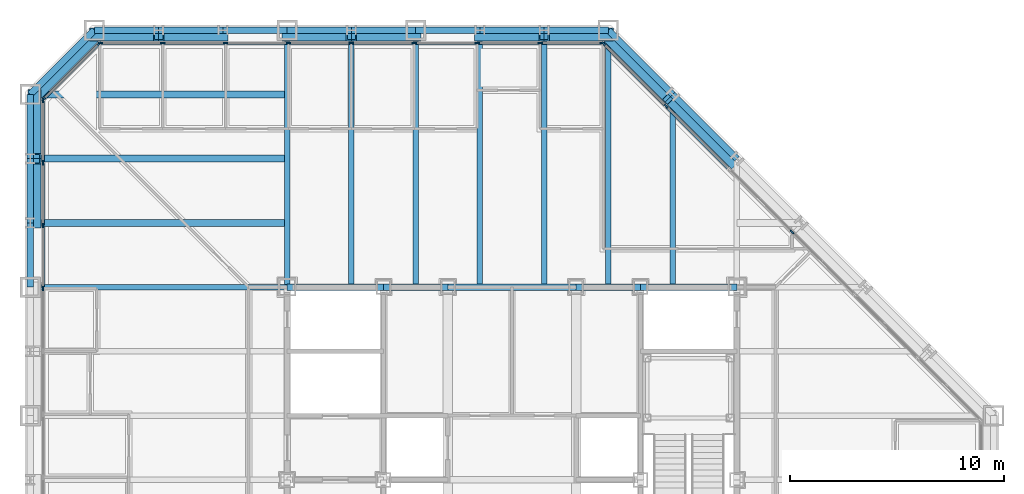
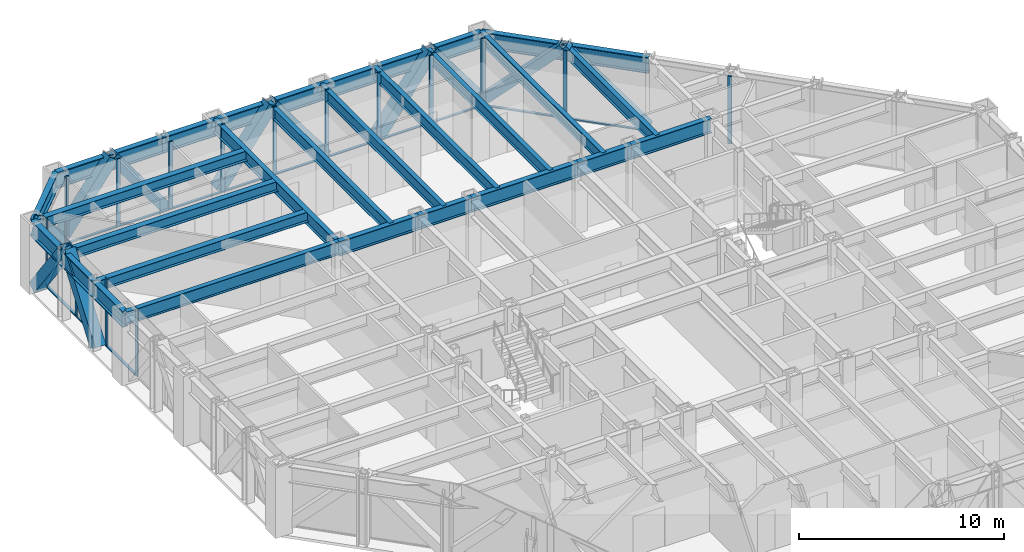
# One storey, part 7 of 17: 43 members, 30 beams, 4 elements without a shape of their own.
"""IFC4 building model written with IfcOpenShell, lengths in metres."""

from ifc_helpers import new_model, si_unit, direction, frame, origin, origin_2d, place, context, subcontext, project, spatial, rectangle, hollow_rectangle, i_section, extrude, material, layer, layer_set, material_profile, profile_set, type_object, element, aggregate, save


model = new_model("IFC4")

# Units and contexts
model_context = context("Model", 3, precision=1e-05, world=origin(), true_north=direction((0.0, 1.0)))
body_context = subcontext(model_context, "Body", "Model", "MODEL_VIEW")
ifc_project = project(units=[si_unit("LENGTHUNIT", "METRE"), si_unit("AREAUNIT", "SQUARE_METRE"), si_unit("VOLUMEUNIT", "CUBIC_METRE"), si_unit("PLANEANGLEUNIT", "RADIAN"), si_unit("MASSUNIT", "GRAM", prefix="KILO")], contexts=[model_context])

# Site, building, storey
site_placement = place(None, origin())
site = spatial("IfcSite", under=ifc_project, at=site_placement, CompositionType="ELEMENT")
building_placement = place(site_placement, origin())
building = spatial("IfcBuilding", under=site, at=building_placement, Name="Chuquiago Exchange Tower", CompositionType="ELEMENT")
storey_placement = place(building_placement, frame((0.0, 0.0, 136.199951171875)))
storey = spatial("IfcBuildingStorey", under=building, at=storey_placement, Name="L29", CompositionType="ELEMENT", Elevation=136.199951171875)

# Beams
ifc_material_1 = material(Name="Steel ASTM A992", Category="steel")
ifc_material_profile_1 = material_profile(ifc_material_1, i_section(OverallWidth=0.25390625, OverallDepth=0.683349609375, WebThickness=0.012451171875, FlangeThickness=0.018798828125, at=origin_2d()), Name="W27X94")
ifc_profile_set_1 = profile_set([ifc_material_profile_1], Name="Steel ASTM A992")
beam_type_1 = type_object("IfcBeamType", Name="B1 W27X94", PredefinedType="BEAM", material=ifc_profile_set_1)
for number, where, z_axis, x_axis, name in (
    (1, (15.0, 33.0, 3.698486328125), (0.0, 1.0, 0.0), (-1.0, 0.0, 0.0), "FB-L30-infill-15_33-15_45-0"),
    (2, (18.0, 33.0, 3.698486328125), (0.0, 1.0, 0.0), (-1.0, 0.0, 0.0), "FB-L30-infill-18_33-18_45-0"),
    (3, (21.0, 33.0, 3.698486328125), (0.0, 1.0, 0.0), (-1.0, 0.0, 0.0), "FB-L30-infill-21_33-21_45-0"),
    (4, (24.0, 33.0, 3.698486328125), (0.0, 1.0, 0.0), (-1.0, 0.0, 0.0), "FB-L30-infill-24_33-24_45-0"),
    (5, (27.0, 33.0, 3.698486328125), (0.0, 1.0, 0.0), (-1.0, 0.0, 0.0), "FB-L30-infill-27_33-27_45-0"),
):
    element("IfcBeam", number, at=place(storey_placement, frame(where, z_axis=z_axis, x_axis=x_axis)), inside=storey, type_object=beam_type_1, Name=name, PredefinedType="BEAM", context=body_context, shape_type="SweptSolid", body=[
        extrude(i_section(OverallWidth=0.25390625, OverallDepth=0.683349609375, WebThickness=0.012451171875, FlangeThickness=0.018798828125, at=origin_2d()), origin(), (0.0, 0.0, 1.0), 12.0),
    ])
beam_1_placement = place(storey_placement, frame((30.0, 33.0, 3.698486328125), z_axis=(0.0, 1.0, 0.0), x_axis=(-1.0, 0.0, 0.0)))
element("IfcBeam", 6, at=beam_1_placement, inside=storey, type_object=beam_type_1, Name="FB-L30-infill-30_33-30_42-0", PredefinedType="BEAM", context=body_context, shape_type="SweptSolid", body=[
    extrude(i_section(OverallWidth=0.25390625, OverallDepth=0.683349609375, WebThickness=0.012451171875, FlangeThickness=0.018798828125, at=origin_2d()), origin(), (0.0, 0.0, 1.0), 9.0),
])
ifc_material_2 = material(Name="Steel ASTM A992", Category="steel")
ifc_material_profile_2 = material_profile(ifc_material_2, i_section(OverallWidth=0.3251953125, OverallDepth=0.612060546875, WebThickness=0.0126953125, FlangeThickness=0.01904296875, at=origin_2d()), Name="W24X104")
ifc_profile_set_2 = profile_set([ifc_material_profile_2], Name="Steel ASTM A992")
beam_type_2 = type_object("IfcBeamType", Name="B2 W24X104", PredefinedType="BEAM", material=ifc_profile_set_2)
for number, where, z_axis, x_axis, name in (
    (7, (12.0, 36.0, 3.73388671875), (-1.0, 0.0, 0.0), (0.0, -1.0, 0.0), "FB-L30-corner-12_36--0_36-0"),
    (8, (12.0, 39.0, 3.73388671875), (-1.0, 0.0, 0.0), (0.0, -1.0, 0.0), "FB-L30-corner-12_39--0_39-0"),
    (9, (12.0, 42.0, 3.73388671875), (-1.0, 0.0, 0.0), (0.0, -1.0, 0.0), "FB-L30-corner-12_42--0_42-0"),
):
    element("IfcBeam", number, at=place(storey_placement, frame(where, z_axis=z_axis, x_axis=x_axis)), inside=storey, type_object=beam_type_2, Name=name, PredefinedType="BEAM", context=body_context, shape_type="SweptSolid", body=[
        extrude(i_section(OverallWidth=0.3251953125, OverallDepth=0.612060546875, WebThickness=0.0126953125, FlangeThickness=0.01904296875, at=origin_2d()), origin(), (0.0, 0.0, 1.0), 12.0),
    ])
ifc_material_3 = material(Name="Steel ASTM A992", Category="steel")
ifc_material_profile_3 = material_profile(ifc_material_3, i_section(OverallWidth=0.2919921875, OverallDepth=0.8583984375, WebThickness=0.01708984375, FlangeThickness=0.031005859375, at=origin_2d()), Name="W33X169")
ifc_profile_set_3 = profile_set([ifc_material_profile_3], Name="Steel ASTM A992")
beam_type_3 = type_object("IfcBeamType", Name="B3 W33X169", PredefinedType="BEAM", material=ifc_profile_set_3)
beam_2_placement = place(storey_placement, frame((12.0, 33.0, 3.61083984375), z_axis=(1.0, 0.0, 0.0), x_axis=(0.0, 1.0, 0.0)))
element("IfcBeam", 10, at=beam_2_placement, inside=storey, type_object=beam_type_3, Name="CB-L30-12_33-16.5_33", PredefinedType="BEAM", context=body_context, shape_type="SweptSolid", body=[
    extrude(i_section(OverallWidth=0.2919921875, OverallDepth=0.8583984375, WebThickness=0.01708984375, FlangeThickness=0.031005859375, at=origin_2d()), origin(), (0.0, 0.0, 1.0), 4.5),
])
beam_3_placement = place(storey_placement, frame((16.5, 33.0, 3.61083984375), z_axis=(1.0, 0.0, 0.0), x_axis=(0.0, 1.0, 0.0)))
element("IfcBeam", 11, at=beam_3_placement, inside=storey, type_object=beam_type_3, Name="CB-L30-16.5_33-19.5_33", PredefinedType="BEAM", context=body_context, shape_type="SweptSolid", body=[
    extrude(i_section(OverallWidth=0.2919921875, OverallDepth=0.8583984375, WebThickness=0.01708984375, FlangeThickness=0.031005859375, at=origin_2d()), origin(), (0.0, 0.0, 1.0), 3.0),
])
beam_4_placement = place(storey_placement, frame((19.5, 33.0, 3.61083984375), z_axis=(1.0, 0.0, 0.0), x_axis=(0.0, 1.0, 0.0)))
element("IfcBeam", 12, at=beam_4_placement, inside=storey, type_object=beam_type_3, Name="CB-L30-19.5_33-25.5_33", PredefinedType="BEAM", context=body_context, shape_type="SweptSolid", body=[
    extrude(i_section(OverallWidth=0.2919921875, OverallDepth=0.8583984375, WebThickness=0.01708984375, FlangeThickness=0.031005859375, at=origin_2d()), origin(), (0.0, 0.0, 1.0), 6.0),
])
beam_5_placement = place(storey_placement, frame((25.5, 33.0, 3.61083984375), z_axis=(1.0, 0.0, 0.0), x_axis=(0.0, 1.0, 0.0)))
element("IfcBeam", 13, at=beam_5_placement, inside=storey, type_object=beam_type_3, Name="CB-L30-25.5_33-28.5_33", PredefinedType="BEAM", context=body_context, shape_type="SweptSolid", body=[
    extrude(i_section(OverallWidth=0.2919921875, OverallDepth=0.8583984375, WebThickness=0.01708984375, FlangeThickness=0.031005859375, at=origin_2d()), origin(), (0.0, 0.0, 1.0), 3.0),
])
beam_6_placement = place(storey_placement, frame((28.5, 33.0, 3.61083984375), z_axis=(1.0, 0.0, 0.0), x_axis=(0.0, 1.0, 0.0)))
element("IfcBeam", 14, at=beam_6_placement, inside=storey, type_object=beam_type_3, Name="CB-L30-28.5_33-33_33", PredefinedType="BEAM", context=body_context, shape_type="SweptSolid", body=[
    extrude(i_section(OverallWidth=0.2919921875, OverallDepth=0.8583984375, WebThickness=0.01708984375, FlangeThickness=0.031005859375, at=origin_2d()), origin(), (0.0, 0.0, 1.0), 4.5),
])

# Curtain wall, members
ifc_material_4 = material(Name="Aluminium curtain wall system", Category="aluminium")
ifc_layer_1 = layer(ifc_material_4, 0.22509765625)
ifc_layer_set_1 = layer_set([ifc_layer_1], Name="CW2 office curtain wall")
curtain_wall_type_1 = type_object("IfcCurtainWallType", Name="CW2 office curtain wall", PredefinedType="NOTDEFINED", material=ifc_layer_set_1)
curtain_wall_1_placement = place(storey_placement, origin())
curtain_wall_1 = element("IfcCurtainWall", 15, at=curtain_wall_1_placement, inside=storey, type_object=curtain_wall_type_1, Name="CW2 curtain wall L29", PredefinedType="NOTDEFINED")
ifc_material_5 = material(Name="Aluminium mullion, pale anodised", Category="aluminium")
ifc_material_profile_4 = material_profile(ifc_material_5, rectangle(XDim=0.06494140625, YDim=0.22509765625, at=origin_2d()), Name="AL 65x225")
ifc_profile_set_4 = profile_set([ifc_material_profile_4], Name="Aluminium mullion, pale anodised")
member_type_1 = type_object("IfcMemberType", Name="CW2-M mullion 65x225", PredefinedType="MULLION", material=ifc_profile_set_4)
member_1_placement = place(storey_placement, frame((26.718994140625, 44.39990234375, 0.0), z_axis=(0.0, 0.0, 1.0), x_axis=(0.0, -1.0, 0.0)))
member_1 = element("IfcMember", 16, at=member_1_placement, type_object=member_type_1, Name="CW2 mullion 1", PredefinedType="MULLION", context=body_context, shape_type="SweptSolid", body=[
    extrude(rectangle(XDim=0.06494140625, YDim=0.22509765625, at=origin_2d()), origin(), (0.0, 0.0, 1.0), 4.0400390625),
])
member_2_placement = place(storey_placement, frame((23.813720703125, 44.39990234375, 0.0), z_axis=(0.0, 0.0, 1.0), x_axis=(0.0, -1.0, 0.0)))
member_2 = element("IfcMember", 17, at=member_2_placement, type_object=member_type_1, Name="CW2 mullion 2", PredefinedType="MULLION", context=body_context, shape_type="SweptSolid", body=[
    extrude(rectangle(XDim=0.06494140625, YDim=0.22509765625, at=origin_2d()), origin(), (0.0, 0.0, 1.0), 4.0400390625),
])
member_3_placement = place(storey_placement, frame((20.875732421875, 44.39990234375, 0.0), z_axis=(0.0, 0.0, 1.0), x_axis=(0.0, -1.0, 0.0)))
member_3 = element("IfcMember", 18, at=member_3_placement, type_object=member_type_1, Name="CW2 mullion 3", PredefinedType="MULLION", context=body_context, shape_type="SweptSolid", body=[
    extrude(rectangle(XDim=0.06494140625, YDim=0.22509765625, at=origin_2d()), origin(), (0.0, 0.0, 1.0), 4.0400390625),
])
member_4_placement = place(storey_placement, frame((17.93798828125, 44.39990234375, 0.0), z_axis=(0.0, 0.0, 1.0), x_axis=(0.0, -1.0, 0.0)))
member_4 = element("IfcMember", 19, at=member_4_placement, type_object=member_type_1, Name="CW2 mullion 4", PredefinedType="MULLION", context=body_context, shape_type="SweptSolid", body=[
    extrude(rectangle(XDim=0.06494140625, YDim=0.22509765625, at=origin_2d()), origin(), (0.0, 0.0, 1.0), 4.0400390625),
])
member_5_placement = place(storey_placement, frame((15.0, 44.39990234375, 0.0), z_axis=(0.0, 0.0, 1.0), x_axis=(0.0, -1.0, 0.0)))
member_5 = element("IfcMember", 20, at=member_5_placement, type_object=member_type_1, Name="CW2 mullion 5", PredefinedType="MULLION", context=body_context, shape_type="SweptSolid", body=[
    extrude(rectangle(XDim=0.06494140625, YDim=0.22509765625, at=origin_2d()), origin(), (0.0, 0.0, 1.0), 4.0400390625),
])
member_6_placement = place(storey_placement, frame((12.06201171875, 44.39990234375, 0.0), z_axis=(0.0, 0.0, 1.0), x_axis=(0.0, -1.0, 0.0)))
member_6 = element("IfcMember", 21, at=member_6_placement, type_object=member_type_1, Name="CW2 mullion 6", PredefinedType="MULLION", context=body_context, shape_type="SweptSolid", body=[
    extrude(rectangle(XDim=0.06494140625, YDim=0.22509765625, at=origin_2d()), origin(), (0.0, 0.0, 1.0), 4.0400390625),
])
member_7_placement = place(storey_placement, frame((9.124267578125, 44.39990234375, 0.0), z_axis=(0.0, 0.0, 1.0), x_axis=(0.0, -1.0, 0.0)))
member_7 = element("IfcMember", 22, at=member_7_placement, type_object=member_type_1, Name="CW2 mullion 7", PredefinedType="MULLION", context=body_context, shape_type="SweptSolid", body=[
    extrude(rectangle(XDim=0.06494140625, YDim=0.22509765625, at=origin_2d()), origin(), (0.0, 0.0, 1.0), 4.0400390625),
])
member_8_placement = place(storey_placement, frame((6.186279296875, 44.39990234375, 0.0), z_axis=(0.0, 0.0, 1.0), x_axis=(0.0, -1.0, 0.0)))
member_8 = element("IfcMember", 23, at=member_8_placement, type_object=member_type_1, Name="CW2 mullion 8", PredefinedType="MULLION", context=body_context, shape_type="SweptSolid", body=[
    extrude(rectangle(XDim=0.06494140625, YDim=0.22509765625, at=origin_2d()), origin(), (0.0, 0.0, 1.0), 4.0400390625),
])
member_9_placement = place(storey_placement, frame((3.281005859375, 44.39990234375, 0.0), z_axis=(0.0, 0.0, 1.0), x_axis=(0.0, -1.0, 0.0)))
member_9 = element("IfcMember", 24, at=member_9_placement, type_object=member_type_1, Name="CW2 mullion 9", PredefinedType="MULLION", context=body_context, shape_type="SweptSolid", body=[
    extrude(rectangle(XDim=0.06494140625, YDim=0.22509765625, at=origin_2d()), origin(), (0.0, 0.0, 1.0), 4.0400390625),
])

curtain_wall_2_placement = place(storey_placement, origin())
curtain_wall_2 = element("IfcCurtainWall", 25, at=curtain_wall_2_placement, inside=storey, type_object=curtain_wall_type_1, Name="CW2 curtain wall L29", PredefinedType="NOTDEFINED")
member_10_placement = place(storey_placement, frame((0.60009765625, 41.718994140625, 0.0), z_axis=(0.0, 0.0, 1.0), x_axis=(1.0, 0.0, 0.0)))
member_10 = element("IfcMember", 26, at=member_10_placement, type_object=member_type_1, Name="CW2 mullion 1", PredefinedType="MULLION", context=body_context, shape_type="SweptSolid", body=[
    extrude(rectangle(XDim=0.06494140625, YDim=0.22509765625, at=origin_2d()), origin(), (0.0, 0.0, 1.0), 4.0400390625),
])
member_11_placement = place(storey_placement, frame((0.60009765625, 38.813720703125, 0.0), z_axis=(0.0, 0.0, 1.0), x_axis=(1.0, 0.0, 0.0)))
member_11 = element("IfcMember", 27, at=member_11_placement, type_object=member_type_1, Name="CW2 mullion 2", PredefinedType="MULLION", context=body_context, shape_type="SweptSolid", body=[
    extrude(rectangle(XDim=0.06494140625, YDim=0.22509765625, at=origin_2d()), origin(), (0.0, 0.0, 1.0), 4.0400390625),
])
member_12_placement = place(storey_placement, frame((0.60009765625, 35.875732421875, 0.0), z_axis=(0.0, 0.0, 1.0), x_axis=(1.0, 0.0, 0.0)))
member_12 = element("IfcMember", 28, at=member_12_placement, type_object=member_type_1, Name="CW2 mullion 3", PredefinedType="MULLION", context=body_context, shape_type="SweptSolid", body=[
    extrude(rectangle(XDim=0.06494140625, YDim=0.22509765625, at=origin_2d()), origin(), (0.0, 0.0, 1.0), 4.0400390625),
])
member_13_placement = place(storey_placement, frame((0.60009765625, 32.93798828125, 0.0), z_axis=(0.0, 0.0, 1.0), x_axis=(1.0, 0.0, 0.0)))
member_13 = element("IfcMember", 29, at=member_13_placement, type_object=member_type_1, Name="CW2 mullion 4", PredefinedType="MULLION", context=body_context, shape_type="SweptSolid", body=[
    extrude(rectangle(XDim=0.06494140625, YDim=0.22509765625, at=origin_2d()), origin(), (0.0, 0.0, 1.0), 4.0400390625),
])

# Member
ifc_material_6 = material(Name="Aluminium transom, pale anodised", Category="aluminium")
ifc_material_profile_5 = material_profile(ifc_material_6, rectangle(XDim=0.139892578125, YDim=0.06494140625, at=origin_2d()), Name="AL 140x65")
ifc_profile_set_5 = profile_set([ifc_material_profile_5], Name="Aluminium transom, pale anodised")
member_type_2 = type_object("IfcMemberType", Name="CW2-T transom 65x140", PredefinedType="MULLION", material=ifc_profile_set_5)
member_14_placement = place(storey_placement, frame((26.6865234375, 44.39990234375, 0.032470703125), z_axis=(-1.0, 0.0, 0.0), x_axis=(0.0, -1.0, 0.0)))
member_14 = element("IfcMember", 30, at=member_14_placement, type_object=member_type_2, Name="CW2 transom 1.1", PredefinedType="MULLION", context=body_context, shape_type="SweptSolid", body=[
    extrude(rectangle(XDim=0.139892578125, YDim=0.06494140625, at=origin_2d()), origin(), (0.0, 0.0, 1.0), 2.84033203125),
])

member_15_placement = place(storey_placement, frame((23.781005859375, 44.39990234375, 0.032470703125), z_axis=(-1.0, 0.0, 0.0), x_axis=(0.0, -1.0, 0.0)))
member_15 = element("IfcMember", 31, at=member_15_placement, type_object=member_type_2, Name="CW2 transom 2.1", PredefinedType="MULLION", context=body_context, shape_type="SweptSolid", body=[
    extrude(rectangle(XDim=0.139892578125, YDim=0.06494140625, at=origin_2d()), origin(), (0.0, 0.0, 1.0), 2.872802734375),
])

member_16_placement = place(storey_placement, frame((20.84326171875, 44.39990234375, 0.032470703125), z_axis=(-1.0, 0.0, 0.0), x_axis=(0.0, -1.0, 0.0)))
member_16 = element("IfcMember", 32, at=member_16_placement, type_object=member_type_2, Name="CW2 transom 3.1", PredefinedType="MULLION", context=body_context, shape_type="SweptSolid", body=[
    extrude(rectangle(XDim=0.139892578125, YDim=0.06494140625, at=origin_2d()), origin(), (0.0, 0.0, 1.0), 2.872802734375),
])

member_17_placement = place(storey_placement, frame((17.9052734375, 44.39990234375, 0.032470703125), z_axis=(-1.0, 0.0, 0.0), x_axis=(0.0, -1.0, 0.0)))
member_17 = element("IfcMember", 33, at=member_17_placement, type_object=member_type_2, Name="CW2 transom 4.1", PredefinedType="MULLION", context=body_context, shape_type="SweptSolid", body=[
    extrude(rectangle(XDim=0.139892578125, YDim=0.06494140625, at=origin_2d()), origin(), (0.0, 0.0, 1.0), 2.872802734375),
])

member_18_placement = place(storey_placement, frame((14.967529296875, 44.39990234375, 0.032470703125), z_axis=(-1.0, 0.0, 0.0), x_axis=(0.0, -1.0, 0.0)))
member_18 = element("IfcMember", 34, at=member_18_placement, type_object=member_type_2, Name="CW2 transom 5.1", PredefinedType="MULLION", context=body_context, shape_type="SweptSolid", body=[
    extrude(rectangle(XDim=0.139892578125, YDim=0.06494140625, at=origin_2d()), origin(), (0.0, 0.0, 1.0), 2.872802734375),
])

member_19_placement = place(storey_placement, frame((12.029541015625, 44.39990234375, 0.032470703125), z_axis=(-1.0, 0.0, 0.0), x_axis=(0.0, -1.0, 0.0)))
member_19 = element("IfcMember", 35, at=member_19_placement, type_object=member_type_2, Name="CW2 transom 6.1", PredefinedType="MULLION", context=body_context, shape_type="SweptSolid", body=[
    extrude(rectangle(XDim=0.139892578125, YDim=0.06494140625, at=origin_2d()), origin(), (0.0, 0.0, 1.0), 2.872802734375),
])

member_20_placement = place(storey_placement, frame((9.091796875, 44.39990234375, 0.032470703125), z_axis=(-1.0, 0.0, 0.0), x_axis=(0.0, -1.0, 0.0)))
member_20 = element("IfcMember", 36, at=member_20_placement, type_object=member_type_2, Name="CW2 transom 7.1", PredefinedType="MULLION", context=body_context, shape_type="SweptSolid", body=[
    extrude(rectangle(XDim=0.139892578125, YDim=0.06494140625, at=origin_2d()), origin(), (0.0, 0.0, 1.0), 2.872802734375),
])

member_21_placement = place(storey_placement, frame((6.15380859375, 44.39990234375, 0.032470703125), z_axis=(-1.0, 0.0, 0.0), x_axis=(0.0, -1.0, 0.0)))
member_21 = element("IfcMember", 37, at=member_21_placement, type_object=member_type_2, Name="CW2 transom 8.1", PredefinedType="MULLION", context=body_context, shape_type="SweptSolid", body=[
    extrude(rectangle(XDim=0.139892578125, YDim=0.06494140625, at=origin_2d()), origin(), (0.0, 0.0, 1.0), 2.84033203125),
])

aggregate(curtain_wall_1, [member_1, member_2, member_3, member_4, member_5, member_6, member_7, member_8, member_9, member_14, member_15, member_16, member_17, member_18, member_19, member_20, member_21])

member_22_placement = place(storey_placement, frame((0.60009765625, 41.6865234375, 0.032470703125), z_axis=(0.0, -1.0, 0.0), x_axis=(1.0, 0.0, 0.0)))
member_22 = element("IfcMember", 38, at=member_22_placement, type_object=member_type_2, Name="CW2 transom 1.1", PredefinedType="MULLION", context=body_context, shape_type="SweptSolid", body=[
    extrude(rectangle(XDim=0.139892578125, YDim=0.06494140625, at=origin_2d()), origin(), (0.0, 0.0, 1.0), 2.84033203125),
])

member_23_placement = place(storey_placement, frame((0.60009765625, 38.781005859375, 0.032470703125), z_axis=(0.0, -1.0, 0.0), x_axis=(1.0, 0.0, 0.0)))
member_23 = element("IfcMember", 39, at=member_23_placement, type_object=member_type_2, Name="CW2 transom 2.1", PredefinedType="MULLION", context=body_context, shape_type="SweptSolid", body=[
    extrude(rectangle(XDim=0.139892578125, YDim=0.06494140625, at=origin_2d()), origin(), (0.0, 0.0, 1.0), 2.872802734375),
])

member_24_placement = place(storey_placement, frame((0.60009765625, 35.84326171875, 0.032470703125), z_axis=(0.0, -1.0, 0.0), x_axis=(1.0, 0.0, 0.0)))
member_24 = element("IfcMember", 40, at=member_24_placement, type_object=member_type_2, Name="CW2 transom 3.1", PredefinedType="MULLION", context=body_context, shape_type="SweptSolid", body=[
    extrude(rectangle(XDim=0.139892578125, YDim=0.06494140625, at=origin_2d()), origin(), (0.0, 0.0, 1.0), 2.872802734375),
])

aggregate(curtain_wall_2, [member_10, member_11, member_12, member_13, member_22, member_23, member_24])

# Curtain wall, members
ifc_material_7 = material(Name="Aluminium curtain wall system", Category="aluminium")
ifc_layer_2 = layer(ifc_material_7, 0.199951171875)
ifc_layer_set_2 = layer_set([ifc_layer_2], Name="CW3 facet curtain wall")
curtain_wall_type_2 = type_object("IfcCurtainWallType", Name="CW3 facet curtain wall", PredefinedType="NOTDEFINED", material=ifc_layer_set_2)
curtain_wall_3_placement = place(storey_placement, origin())
curtain_wall_3 = element("IfcCurtainWall", 41, at=curtain_wall_3_placement, inside=storey, type_object=curtain_wall_type_2, Name="CW3 curtain wall L29", PredefinedType="NOTDEFINED")
ifc_material_8 = material(Name="Aluminium mullion, pale anodised", Category="aluminium")
ifc_material_profile_6 = material_profile(ifc_material_8, rectangle(XDim=0.06494140625, YDim=0.199951171875, at=origin_2d()), Name="AL 65x200")
ifc_profile_set_6 = profile_set([ifc_material_profile_6], Name="Aluminium mullion, pale anodised")
member_type_3 = type_object("IfcMemberType", Name="CW3-M mullion 65x200", PredefinedType="MULLION", material=ifc_profile_set_6)
member_25_placement = place(storey_placement, frame((35.57568359375, 35.57568359375, 0.0), z_axis=(0.0, 0.0, 1.0), x_axis=(-0.707106781187, -0.707106781187, 0.0)))
member_25 = element("IfcMember", 42, at=member_25_placement, type_object=member_type_3, Name="CW3 mullion 4", PredefinedType="MULLION", context=body_context, shape_type="SweptSolid", body=[
    extrude(rectangle(XDim=0.06494140625, YDim=0.199951171875, at=origin_2d()), origin(), (0.0, 0.0, 1.0), 4.0400390625),
])
member_26_placement = place(storey_placement, frame((29.69287109375, 41.45849609375, 0.0), z_axis=(0.0, 0.0, 1.0), x_axis=(-0.707106781187, -0.707106781187, 0.0)))
member_26 = element("IfcMember", 43, at=member_26_placement, type_object=member_type_3, Name="CW3 mullion 6", PredefinedType="MULLION", context=body_context, shape_type="SweptSolid", body=[
    extrude(rectangle(XDim=0.06494140625, YDim=0.199951171875, at=origin_2d()), origin(), (0.0, 0.0, 1.0), 4.0400390625),
])
member_27_placement = place(storey_placement, frame((26.7744140625, 44.376953125, 0.0), z_axis=(0.0, 0.0, 1.0), x_axis=(-0.707106781187, -0.707106781187, 0.0)))
member_27 = element("IfcMember", 44, at=member_27_placement, type_object=member_type_3, Name="CW3 mullion 7", PredefinedType="MULLION", context=body_context, shape_type="SweptSolid", body=[
    extrude(rectangle(XDim=0.06494140625, YDim=0.199951171875, at=origin_2d()), origin(), (0.0, 0.0, 1.0), 4.0400390625),
])

curtain_wall_4_placement = place(storey_placement, origin())
curtain_wall_4 = element("IfcCurtainWall", 45, at=curtain_wall_4_placement, inside=storey, type_object=curtain_wall_type_2, Name="CW3 curtain wall L29", PredefinedType="NOTDEFINED")
member_28_placement = place(storey_placement, frame((3.2255859375, 44.376953125, 0.0), z_axis=(0.0, 0.0, 1.0), x_axis=(0.707106781187, -0.707106781187, 0.0)))
member_28 = element("IfcMember", 46, at=member_28_placement, type_object=member_type_3, Name="CW3 mullion 1", PredefinedType="MULLION", context=body_context, shape_type="SweptSolid", body=[
    extrude(rectangle(XDim=0.06494140625, YDim=0.199951171875, at=origin_2d()), origin(), (0.0, 0.0, 1.0), 4.0400390625),
])
member_29_placement = place(storey_placement, frame((0.623046875, 41.7744140625, 0.0), z_axis=(0.0, 0.0, 1.0), x_axis=(0.707106781187, -0.707106781187, 0.0)))
member_29 = element("IfcMember", 47, at=member_29_placement, type_object=member_type_3, Name="CW3 mullion 2", PredefinedType="MULLION", context=body_context, shape_type="SweptSolid", body=[
    extrude(rectangle(XDim=0.06494140625, YDim=0.199951171875, at=origin_2d()), origin(), (0.0, 0.0, 1.0), 4.0400390625),
])

# Member
ifc_material_9 = material(Name="Aluminium transom, pale anodised", Category="aluminium")
ifc_material_profile_7 = material_profile(ifc_material_9, rectangle(XDim=0.139892578125, YDim=0.06494140625, at=origin_2d()), Name="AL 140x65")
ifc_profile_set_7 = profile_set([ifc_material_profile_7], Name="Aluminium transom, pale anodised")
member_type_4 = type_object("IfcMemberType", Name="CW3-T transom 65x140", PredefinedType="MULLION", material=ifc_profile_set_7)
member_30_placement = place(storey_placement, frame((32.611328125, 38.5400390625, 0.032470703125), z_axis=(-0.707106781187, 0.707106781187, 0.0), x_axis=(-0.707106781187, -0.707106781187, 0.0)))
member_30 = element("IfcMember", 48, at=member_30_placement, type_object=member_type_4, Name="CW3 transom 5.1", PredefinedType="MULLION", context=body_context, shape_type="SweptSolid", body=[
    extrude(rectangle(XDim=0.139892578125, YDim=0.06494140625, at=origin_2d()), origin(), (0.0, 0.0, 1.0), 4.094970703125),
])

member_31_placement = place(storey_placement, frame((29.669921875, 41.4814453125, 0.032470703125), z_axis=(-0.707106781187, 0.707106781187, 0.0), x_axis=(-0.707106781187, -0.707106781187, 0.0)))
member_31 = element("IfcMember", 49, at=member_31_placement, type_object=member_type_4, Name="CW3 transom 6.1", PredefinedType="MULLION", context=body_context, shape_type="SweptSolid", body=[
    extrude(rectangle(XDim=0.139892578125, YDim=0.06494140625, at=origin_2d()), origin(), (0.0, 0.0, 1.0), 4.0625),
])

aggregate(curtain_wall_3, [member_25, member_26, member_27, member_30, member_31])

member_32_placement = place(storey_placement, frame((3.20263671875, 44.35400390625, 0.032470703125), z_axis=(-0.707106781187, -0.707106781187, 0.0), x_axis=(0.707106781187, -0.707106781187, 0.0)))
member_32 = element("IfcMember", 50, at=member_32_placement, type_object=member_type_4, Name="CW3 transom 1.1", PredefinedType="MULLION", context=body_context, shape_type="SweptSolid", body=[
    extrude(rectangle(XDim=0.139892578125, YDim=0.06494140625, at=origin_2d()), origin(), (0.0, 0.0, 1.0), 3.61572265625),
])

aggregate(curtain_wall_4, [member_28, member_29, member_32])

# Beams
ifc_material_10 = material(Name="Steel ASTM A992", Category="steel")
ifc_material_profile_8 = material_profile(ifc_material_10, i_section(OverallWidth=0.2666015625, OverallDepth=0.76953125, WebThickness=0.015625, FlangeThickness=0.025390625, at=origin_2d()), Name="W30X132")
ifc_profile_set_8 = profile_set([ifc_material_profile_8], Name="Steel ASTM A992")
beam_type_4 = type_object("IfcBeamType", Name="G1 W30X132", PredefinedType="BEAM", material=ifc_profile_set_8)
for number, where, z_axis, x_axis, name in (
    (51, (12.0, 33.0, 3.6552734375), (0.0, 1.0, 0.0), (-1.0, 0.0, 0.0), "FB-L30-girder-12_33-12_45-0"),
    (52, (12.0, 33.0, 3.6552734375), (-1.0, 0.0, 0.0), (0.0, -1.0, 0.0), "FB-L30-girder-12_33--0_33-0"),
):
    element("IfcBeam", number, at=place(storey_placement, frame(where, z_axis=z_axis, x_axis=x_axis)), inside=storey, type_object=beam_type_4, Name=name, PredefinedType="BEAM", context=body_context, shape_type="SweptSolid", body=[
        extrude(i_section(OverallWidth=0.2666015625, OverallDepth=0.76953125, WebThickness=0.015625, FlangeThickness=0.025390625, at=origin_2d()), origin(), (0.0, 0.0, 1.0), 12.0),
    ])

# Members
ifc_material_11 = material(Name="Steel ASTM A500 Grade C", Category="steel")
ifc_material_profile_9 = material_profile(ifc_material_11, hollow_rectangle(XDim=0.508056640625, YDim=0.508056640625, WallThickness=0.017822265625, at=origin_2d()), Name="HSS20X20X3/4")
ifc_profile_set_9 = profile_set([ifc_material_profile_9], Name="Steel ASTM A500 Grade C")
member_type_5 = type_object("IfcMemberType", Name="LB1 HSS20X20X3/4", PredefinedType="BRACE", material=ifc_profile_set_9)
for number, where, z_axis, x_axis, name in (
    (53, (32.822509765625, 38.822509765625, 0.0), (-0.512077265487, 0.512077265487, 0.689604051861), (-0.707106781187, -0.707106781187, 0.0), "LB-L29-33_39-30_42"),
    (54, (26.822509765625, 44.822509765625, 0.0), (0.512077265487, -0.512077265487, 0.689604051861), (0.707106781187, 0.707106781187, 0.0), "LB-L29-30_42-27_45"),
    (55, (3.177490234375, 44.822509765625, 0.0), (-0.512077265487, -0.512077265487, 0.689604051861), (0.707106781187, -0.707106781187, 0.0), "LB-L29-3_45-0_42"),
):
    element("IfcMember", number, at=place(storey_placement, frame(where, z_axis=z_axis, x_axis=x_axis)), inside=storey, type_object=member_type_5, Name=name, PredefinedType="BRACE", context=body_context, shape_type="SweptSolid", body=[
        extrude(hollow_rectangle(XDim=0.508056640625, YDim=0.508056640625, WallThickness=0.017822265625, at=origin_2d()), origin(), (0.0, 0.0, 1.0), 5.8583984375),
    ])
ifc_material_12 = material(Name="Steel ASTM A572 Grade 50", Category="steel")
ifc_material_profile_10 = material_profile(ifc_material_12, hollow_rectangle(XDim=0.60009765625, YDim=0.60009765625, WallThickness=0.06005859375, at=origin_2d()), Name="BOX600X600X60")
ifc_profile_set_10 = profile_set([ifc_material_profile_10], Name="Steel ASTM A572 Grade 50")
member_type_6 = type_object("IfcMemberType", Name="MB2 BOX600X600X60", PredefinedType="BRACE", material=ifc_profile_set_10)
for number, where, z_axis, x_axis, name in (
    (56, (27.0, 44.794921875, 0.0), (-0.596173923302, 0.0, 0.802855312728), (0.0, -1.0, 0.0), "Mega diagonal L29 N face"),
    (57, (21.0, 44.794921875, 0.0), (0.596173923302, 0.0, 0.802855312728), (0.0, 1.0, 0.0), "Mega diagonal L29 N face"),
    (58, (18.0, 44.794921875, 0.0), (-0.596173923302, 0.0, 0.802855312728), (0.0, -1.0, 0.0), "Mega diagonal L29 N face"),
    (59, (12.0, 44.794921875, 0.0), (0.596173923302, 0.0, 0.802855312728), (0.0, 1.0, 0.0), "Mega diagonal L29 N face"),
    (60, (9.0, 44.794921875, 0.0), (-0.596173923302, 0.0, 0.802855312728), (0.0, -1.0, 0.0), "Mega diagonal L29 N face"),
    (61, (3.0, 44.794921875, 0.0), (0.596173923302, 0.0, 0.802855312728), (0.0, 1.0, 0.0), "Mega diagonal L29 N face"),
    (62, (0.205078125, 42.0, 0.0), (0.0, -0.596173923302, 0.802855312728), (1.0, 0.0, 0.0), "Mega diagonal L29 W face"),
    (63, (0.205078125, 36.0, 0.0), (0.0, 0.596173923302, 0.802855312728), (-1.0, 0.0, 0.0), "Mega diagonal L29 W face"),
):
    element("IfcMember", number, at=place(storey_placement, frame(where, z_axis=z_axis, x_axis=x_axis)), inside=storey, type_object=member_type_6, Name=name, PredefinedType="BRACE", context=body_context, shape_type="SweptSolid", body=[
        extrude(hollow_rectangle(XDim=0.60009765625, YDim=0.60009765625, WallThickness=0.06005859375, at=origin_2d()), origin(), (0.0, 0.0, 1.0), 5.031982421875),
    ])

# Beams
ifc_material_13 = material(Name="Steel ASTM A992", Category="steel")
ifc_material_profile_11 = material_profile(ifc_material_13, i_section(OverallWidth=0.309814453125, OverallDepth=0.949951171875, WebThickness=0.0244140625, FlangeThickness=0.0439453125, at=origin_2d()), Name="W36X256")
ifc_profile_set_11 = profile_set([ifc_material_profile_11], Name="Steel ASTM A992")
beam_type_5 = type_object("IfcBeamType", Name="SP2 W36X256", PredefinedType="SPANDREL", material=ifc_profile_set_11)
for number, where, z_axis, x_axis, name in (
    (64, (33.0, 39.0, 3.56494140625), (-0.707106781187, 0.707106781187, 0.0), (-0.707106781187, -0.707106781187, 0.0), "SPB-L30-33_39-30_42"),
    (65, (30.0, 42.0, 3.56494140625), (-0.707106781187, 0.707106781187, 0.0), (-0.707106781187, -0.707106781187, 0.0), "SPB-L30-30_42-27_45"),
):
    element("IfcBeam", number, at=place(storey_placement, frame(where, z_axis=z_axis, x_axis=x_axis)), inside=storey, type_object=beam_type_5, Name=name, PredefinedType="SPANDREL", context=body_context, shape_type="SweptSolid", body=[
        extrude(i_section(OverallWidth=0.309814453125, OverallDepth=0.949951171875, WebThickness=0.0244140625, FlangeThickness=0.0439453125, at=origin_2d()), origin(), (0.0, 0.0, 1.0), 4.24267578125),
    ])
for number, where, z_axis, x_axis, name in (
    (66, (27.0, 45.0, 3.56494140625), (-1.0, 0.0, 0.0), (0.0, -1.0, 0.0), "SPB-L30-27_45-24_45"),
    (67, (24.0, 45.0, 3.56494140625), (-1.0, 0.0, 0.0), (0.0, -1.0, 0.0), "SPB-L30-24_45-21_45"),
    (68, (21.0, 45.0, 3.56494140625), (-1.0, 0.0, 0.0), (0.0, -1.0, 0.0), "SPB-L30-21_45-18_45"),
    (69, (18.0, 45.0, 3.56494140625), (-1.0, 0.0, 0.0), (0.0, -1.0, 0.0), "SPB-L30-18_45-15_45"),
    (70, (15.0, 45.0, 3.56494140625), (-1.0, 0.0, 0.0), (0.0, -1.0, 0.0), "SPB-L30-15_45-12_45"),
    (71, (12.0, 45.0, 3.56494140625), (-1.0, 0.0, 0.0), (0.0, -1.0, 0.0), "SPB-L30-12_45-9_45"),
    (72, (9.0, 45.0, 3.56494140625), (-1.0, 0.0, 0.0), (0.0, -1.0, 0.0), "SPB-L30-9_45-6_45"),
    (73, (6.0, 45.0, 3.56494140625), (-1.0, 0.0, 0.0), (0.0, -1.0, 0.0), "SPB-L30-6_45-3_45"),
):
    element("IfcBeam", number, at=place(storey_placement, frame(where, z_axis=z_axis, x_axis=x_axis)), inside=storey, type_object=beam_type_5, Name=name, PredefinedType="SPANDREL", context=body_context, shape_type="SweptSolid", body=[
        extrude(i_section(OverallWidth=0.309814453125, OverallDepth=0.949951171875, WebThickness=0.0244140625, FlangeThickness=0.0439453125, at=origin_2d()), origin(), (0.0, 0.0, 1.0), 3.0),
    ])
beam_7_placement = place(storey_placement, frame((3.0, 45.0, 3.56494140625), z_axis=(-0.707106781187, -0.707106781187, 0.0), x_axis=(0.707106781187, -0.707106781187, 0.0)))
element("IfcBeam", 74, at=beam_7_placement, inside=storey, type_object=beam_type_5, Name="SPB-L30-3_45-0_42", PredefinedType="SPANDREL", context=body_context, shape_type="SweptSolid", body=[
    extrude(i_section(OverallWidth=0.309814453125, OverallDepth=0.949951171875, WebThickness=0.0244140625, FlangeThickness=0.0439453125, at=origin_2d()), origin(), (0.0, 0.0, 1.0), 4.24267578125),
])
for number, where, z_axis, x_axis, name in (
    (75, (0.0, 42.0, 3.56494140625), (0.0, -1.0, 0.0), (1.0, 0.0, 0.0), "SPB-L30-0_42-0_39"),
    (76, (0.0, 39.0, 3.56494140625), (0.0, -1.0, 0.0), (1.0, 0.0, 0.0), "SPB-L30-0_39-0_36"),
    (77, (0.0, 36.0, 3.56494140625), (0.0, -1.0, 0.0), (1.0, 0.0, 0.0), "SPB-L30-0_36-0_33"),
):
    element("IfcBeam", number, at=place(storey_placement, frame(where, z_axis=z_axis, x_axis=x_axis)), inside=storey, type_object=beam_type_5, Name=name, PredefinedType="SPANDREL", context=body_context, shape_type="SweptSolid", body=[
        extrude(i_section(OverallWidth=0.309814453125, OverallDepth=0.949951171875, WebThickness=0.0244140625, FlangeThickness=0.0439453125, at=origin_2d()), origin(), (0.0, 0.0, 1.0), 3.0),
    ])

save(model, "model.ifc")
